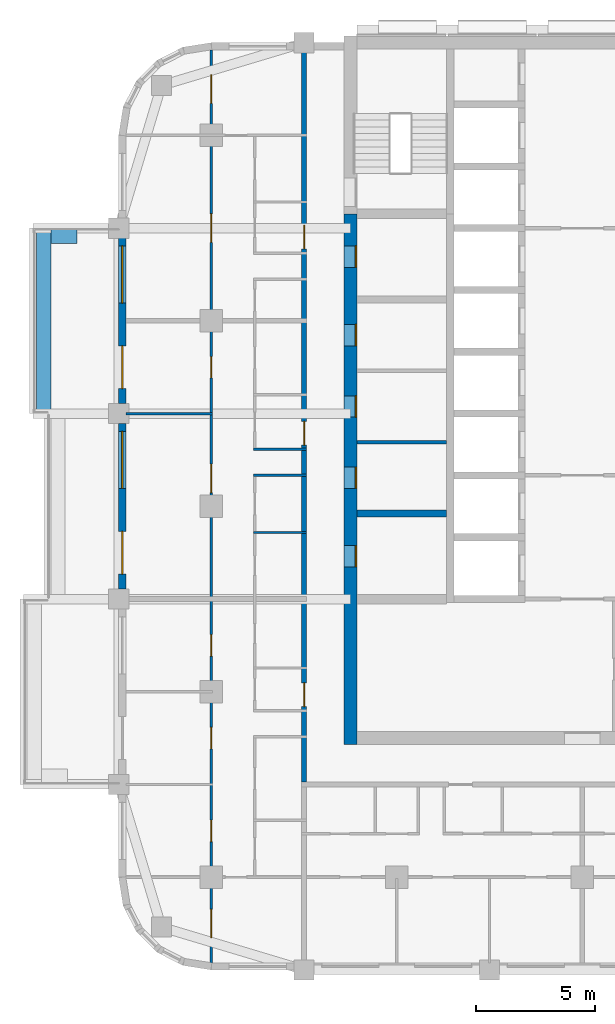
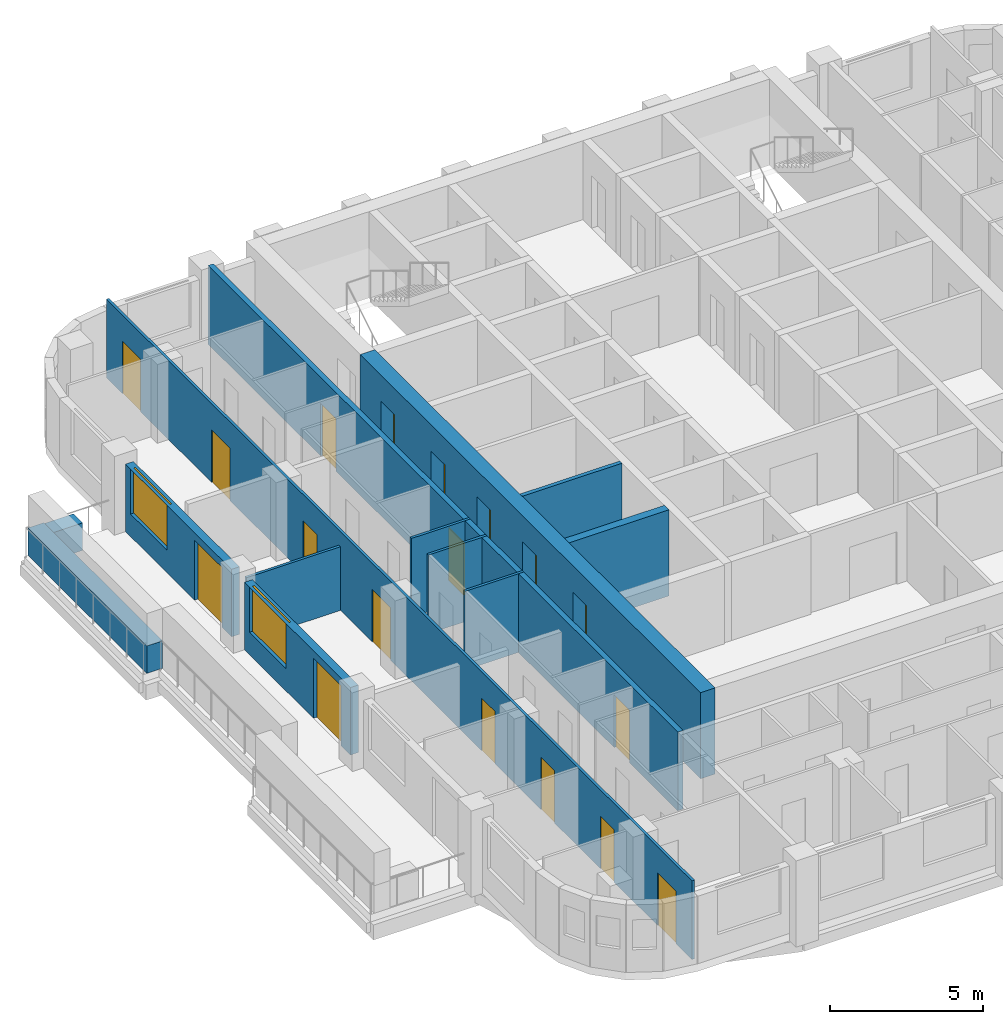
# One storey, part 4 of 13: 18 doors, 13 walls, 2 windows, 20 openings.
"""IFC4 building model written with IfcOpenShell, lengths in metres."""

from ifc_helpers import new_model, si_unit, direction, frame, frame_2d, origin, place, context, subcontext, project, spatial, rectangle, extrude, material, layer, layer_set, type_object, element, fill, save


model = new_model("IFC4")

# Units and contexts
model_context = context("Model", 3, precision=1e-05, world=origin(), true_north=direction((0.0, 1.0)))
body_context = subcontext(model_context, "Body", "Model", "MODEL_VIEW")
ifc_project = project(units=[si_unit("LENGTHUNIT", "METRE"), si_unit("AREAUNIT", "SQUARE_METRE"), si_unit("VOLUMEUNIT", "CUBIC_METRE"), si_unit("PLANEANGLEUNIT", "RADIAN"), si_unit("MASSUNIT", "GRAM", prefix="KILO")], contexts=[model_context])

# Site, building, storey
site_placement = place(None, origin())
site = spatial("IfcSite", under=ifc_project, at=site_placement, CompositionType="ELEMENT")
building_placement = place(site_placement, origin())
building = spatial("IfcBuilding", under=site, at=building_placement, Name="Ludao Terraces", CompositionType="ELEMENT")
storey_placement = place(building_placement, frame((0.0, 0.0, 123.699951171875)))
storey = spatial("IfcBuildingStorey", under=building, at=storey_placement, Name="L33", CompositionType="ELEMENT", Elevation=123.699951171875)

# Wall, openings, doors
ifc_material_1 = material(Name="Concrete C60", Category="concrete")
ifc_layer_1 = layer(ifc_material_1, 0.550048828125)
ifc_layer_set_1 = layer_set([ifc_layer_1], Name="Core wall 550 C60")
wall_type_1 = type_object("IfcWallType", Name="Core wall 550 C60", PredefinedType="SOLIDWALL", material=ifc_layer_set_1)
wall_1_placement = place(storey_placement, frame((75.25, 54.97509765625, -0.300048828125), z_axis=(0.0, 0.0, 1.0), x_axis=(0.0, 1.0, 0.0)))
wall_1 = element("IfcWall", 1, at=wall_1_placement, inside=storey, type_object=wall_type_1, Name="Core wall L33 outer-W", PredefinedType="SOLIDWALL", context=body_context, shape_type="SweptSolid", body=[
    extrude(rectangle(XDim=22.324951171875, YDim=0.550048828125, at=frame_2d((11.16259765625, 0.0))), origin(), (0.0, 0.0, 1.0), 3.4501953125),
])
opening_1_placement = place(wall_1_placement, frame((7.47509765625, 0.0, 0.300048828125)))
opening_1 = element("IfcOpeningElement", 2, at=opening_1_placement, cuts=wall_1, Name="Opening R10-041", PredefinedType="OPENING", context=body_context, shape_type="SweptSolid", body=[
    extrude(rectangle(XDim=0.89990234375, YDim=2.10009765625, at=frame_2d((0.449951171875, 1.050048828125))), frame((0.0, 0.28515625, 0.0), z_axis=(0.0, -1.0, 0.0), x_axis=(1.0, 0.0, 0.0)), (0.0, 0.0, 1.0), 0.570068359375),
])
opening_2_placement = place(wall_1_placement, frame((10.77490234375, 0.0, 0.300048828125)))
opening_2 = element("IfcOpeningElement", 3, at=opening_2_placement, cuts=wall_1, Name="Opening R10-050", PredefinedType="OPENING", context=body_context, shape_type="SweptSolid", body=[
    extrude(rectangle(XDim=0.89990234375, YDim=2.10009765625, at=frame_2d((0.449951171875, 1.050048828125))), frame((0.0, 0.28515625, 0.0), z_axis=(0.0, -1.0, 0.0), x_axis=(1.0, 0.0, 0.0)), (0.0, 0.0, 1.0), 0.570068359375),
])
opening_3_placement = place(wall_1_placement, frame((13.77490234375, 0.0, 0.300048828125)))
opening_3 = element("IfcOpeningElement", 4, at=opening_3_placement, cuts=wall_1, Name="Opening R10-059", PredefinedType="OPENING", context=body_context, shape_type="SweptSolid", body=[
    extrude(rectangle(XDim=0.89990234375, YDim=2.10009765625, at=frame_2d((0.449951171875, 1.050048828125))), frame((0.0, 0.28515625, 0.0), z_axis=(0.0, -1.0, 0.0), x_axis=(1.0, 0.0, 0.0)), (0.0, 0.0, 1.0), 0.570068359375),
])
opening_4_placement = place(wall_1_placement, frame((16.77490234375, 0.0, 0.300048828125)))
opening_4 = element("IfcOpeningElement", 5, at=opening_4_placement, cuts=wall_1, Name="Opening R10-065", PredefinedType="OPENING", context=body_context, shape_type="SweptSolid", body=[
    extrude(rectangle(XDim=0.89990234375, YDim=2.10009765625, at=frame_2d((0.449951171875, 1.050048828125))), frame((0.0, 0.28515625, 0.0), z_axis=(0.0, -1.0, 0.0), x_axis=(1.0, 0.0, 0.0)), (0.0, 0.0, 1.0), 0.570068359375),
])
opening_5_placement = place(wall_1_placement, frame((20.074951171875, 0.0, 0.300048828125)))
opening_5 = element("IfcOpeningElement", 6, at=opening_5_placement, cuts=wall_1, Name="Opening R10-073", PredefinedType="OPENING", context=body_context, shape_type="SweptSolid", body=[
    extrude(rectangle(XDim=0.89990234375, YDim=2.10009765625, at=frame_2d((0.449951171875, 1.050048828125))), frame((0.0, 0.28515625, 0.0), z_axis=(0.0, -1.0, 0.0), x_axis=(1.0, 0.0, 0.0)), (0.0, 0.0, 1.0), 0.570068359375),
])
ifc_material_2 = material(Name="Steel Q235", Category="steel")
door_type_1 = type_object("IfcDoorType", Name="INT Riser door 900", OperationType="SINGLE_SWING_LEFT", PredefinedType="DOOR", material=ifc_material_2)
door_1_placement = place(opening_1_placement, origin())
door_1 = element("IfcDoor", 7, at=door_1_placement, inside=storey, type_object=door_type_1, Name="DOOR 041", OperationType="SINGLE_SWING_RIGHT", OverallHeight=2.10009765625, OverallWidth=0.89990234375, PredefinedType="DOOR", context=body_context, shape_type="SweptSolid", body=[
    extrude(rectangle(XDim=0.89990234375, YDim=2.10009765625, at=frame_2d((0.449951171875, 1.050048828125))), frame((0.0, -0.2099609375, 0.0), z_axis=(0.0, -1.0, 0.0), x_axis=(1.0, 0.0, 0.0)), (0.0, 0.0, 1.0), 0.050048828125),
])
fill(opening_1, door_1)
door_2_placement = place(opening_5_placement, origin())
door_2 = element("IfcDoor", 8, at=door_2_placement, inside=storey, type_object=door_type_1, Name="DOOR 073", OperationType="SINGLE_SWING_LEFT", OverallHeight=2.10009765625, OverallWidth=0.89990234375, PredefinedType="DOOR", context=body_context, shape_type="SweptSolid", body=[
    extrude(rectangle(XDim=0.89990234375, YDim=2.10009765625, at=frame_2d((0.449951171875, 1.050048828125))), frame((0.0, -0.2099609375, 0.0), z_axis=(0.0, -1.0, 0.0), x_axis=(1.0, 0.0, 0.0)), (0.0, 0.0, 1.0), 0.050048828125),
])
fill(opening_5, door_2)
ifc_material_3 = material(Name="Timber door leaf", Category="wood")
door_type_2 = type_object("IfcDoorType", Name="INT Room door 900", OperationType="SINGLE_SWING_LEFT", PredefinedType="DOOR", material=ifc_material_3)
door_3_placement = place(opening_2_placement, origin())
door_3 = element("IfcDoor", 9, at=door_3_placement, inside=storey, type_object=door_type_2, Name="DOOR 050", OperationType="SINGLE_SWING_RIGHT", OverallHeight=2.10009765625, OverallWidth=0.89990234375, PredefinedType="DOOR", context=body_context, shape_type="SweptSolid", body=[
    extrude(rectangle(XDim=0.89990234375, YDim=2.10009765625, at=frame_2d((0.449951171875, 1.050048828125))), frame((0.0, -0.2099609375, 0.0), z_axis=(0.0, -1.0, 0.0), x_axis=(1.0, 0.0, 0.0)), (0.0, 0.0, 1.0), 0.050048828125),
])
fill(opening_2, door_3)
door_4_placement = place(opening_3_placement, origin())
door_4 = element("IfcDoor", 10, at=door_4_placement, inside=storey, type_object=door_type_2, Name="DOOR 059", OperationType="SINGLE_SWING_LEFT", OverallHeight=2.10009765625, OverallWidth=0.89990234375, PredefinedType="DOOR", context=body_context, shape_type="SweptSolid", body=[
    extrude(rectangle(XDim=0.89990234375, YDim=2.10009765625, at=frame_2d((0.449951171875, 1.050048828125))), frame((0.0, -0.2099609375, 0.0), z_axis=(0.0, -1.0, 0.0), x_axis=(1.0, 0.0, 0.0)), (0.0, 0.0, 1.0), 0.050048828125),
])
fill(opening_3, door_4)
door_5_placement = place(opening_4_placement, origin())
door_5 = element("IfcDoor", 11, at=door_5_placement, inside=storey, type_object=door_type_2, Name="DOOR 065", OperationType="SINGLE_SWING_LEFT", OverallHeight=2.10009765625, OverallWidth=0.89990234375, PredefinedType="DOOR", context=body_context, shape_type="SweptSolid", body=[
    extrude(rectangle(XDim=0.89990234375, YDim=2.10009765625, at=frame_2d((0.449951171875, 1.050048828125))), frame((0.0, -0.2099609375, 0.0), z_axis=(0.0, -1.0, 0.0), x_axis=(1.0, 0.0, 0.0)), (0.0, 0.0, 1.0), 0.050048828125),
])
fill(opening_4, door_5)

# Walls
ifc_material_4 = material(Name="Concrete C40", Category="concrete")
ifc_layer_2 = layer(ifc_material_4, 0.60009765625)
ifc_layer_set_2 = layer_set([ifc_layer_2], Name="ENV Planter trough 600")
wall_type_2 = type_object("IfcWallType", Name="ENV Planter trough 600", PredefinedType="USERDEFINED", material=ifc_layer_set_2)
wall_2_placement = place(storey_placement, frame((62.35009765625, 68.89990234375, 0.0), z_axis=(0.0, 0.0, 1.0), x_axis=(0.0, 1.0, 0.0)))
element("IfcWall", 12, at=wall_2_placement, inside=storey, type_object=wall_type_2, Name="PL-L33-W3", ObjectType="PLANTER", PredefinedType="USERDEFINED", context=body_context, shape_type="SweptSolid", body=[
    extrude(rectangle(XDim=7.800048828125, YDim=0.60009765625, at=frame_2d((3.89990234375, 0.0))), origin(), (0.0, 0.0, 1.0), 1.10009765625),
])
wall_3_placement = place(storey_placement, frame((62.64990234375, 76.35009765625, 0.0), z_axis=(0.0, 0.0, 1.0), x_axis=(1.0, 0.0, 0.0)))
element("IfcWall", 13, at=wall_3_placement, inside=storey, type_object=wall_type_2, Name="PL-L33-W3-SB", ObjectType="PLANTER", PredefinedType="USERDEFINED", context=body_context, shape_type="SweptSolid", body=[
    extrude(rectangle(XDim=1.10009765625, YDim=0.60009765625, at=frame_2d((0.550048828125, 0.0))), origin(), (0.0, 0.0, 1.0), 1.10009765625),
])

# Wall, openings, door, window
ifc_material_5 = material(Name="Granite cladding", Category="masonry")
ifc_layer_3 = layer(ifc_material_5, 0.0400390625, Category="stone")
ifc_material_6 = material(Name="Mineral wool")
ifc_layer_4 = layer(ifc_material_6, 0.06005859375)
ifc_layer_5 = layer(ifc_material_4, 0.199951171875, Category="concrete")
ifc_layer_set_3 = layer_set([ifc_layer_3, ifc_layer_4, ifc_layer_5], Name="ENV Stone-clad wall 300")
wall_type_3 = type_object("IfcWallType", Name="ENV Stone-clad wall 300", PredefinedType="SOLIDWALL", material=ifc_layer_set_3)
wall_4_placement = place(storey_placement, frame((65.64990234375, 61.52490234375, 0.0), z_axis=(0.0, 0.0, 1.0), x_axis=(0.0, 1.0, 0.0)))
wall_4 = element("IfcWall", 14, at=wall_4_placement, inside=storey, type_object=wall_type_3, Name="EW-L33-W3", PredefinedType="SOLIDWALL", context=body_context, shape_type="SweptSolid", body=[
    extrude(rectangle(XDim=6.9501953125, YDim=0.300048828125, at=frame_2d((3.47509765625, 0.0))), origin(), (0.0, 0.0, 1.0), 2.699951171875),
])
opening_6_placement = place(wall_4_placement, frame((0.625, 0.0, 0.0)))
opening_6 = element("IfcOpeningElement", 15, at=opening_6_placement, cuts=wall_4, Name="Opening BD", PredefinedType="OPENING", context=body_context, shape_type="SweptSolid", body=[
    extrude(rectangle(XDim=1.800048828125, YDim=2.39990234375, at=frame_2d((0.89990234375, 1.199951171875))), frame((0.0, 0.16015625, 0.0), z_axis=(0.0, -1.0, 0.0), x_axis=(1.0, 0.0, 0.0)), (0.0, 0.0, 1.0), 0.320068359375),
])
opening_7_placement = place(wall_4_placement, frame((4.22509765625, 0.0, 0.89990234375)))
opening_7 = element("IfcOpeningElement", 16, at=opening_7_placement, cuts=wall_4, Name="Opening W1", PredefinedType="OPENING", context=body_context, shape_type="SweptSolid", body=[
    extrude(rectangle(XDim=2.39990234375, YDim=1.800048828125, at=frame_2d((1.199951171875, 0.89990234375))), frame((0.0, 0.16015625, 0.0), z_axis=(0.0, -1.0, 0.0), x_axis=(1.0, 0.0, 0.0)), (0.0, 0.0, 1.0), 0.320068359375),
])
ifc_material_7 = material(Name="Aluminium glazed door", Category="aluminium")
ifc_layer_6 = layer(ifc_material_7, 0.06005859375)
ifc_layer_set_4 = layer_set([ifc_layer_6], Name="ENV Balcony door BD 1800x2400")
door_type_3 = type_object("IfcDoorType", Name="ENV Balcony door BD 1800x2400", OperationType="DOUBLE_DOOR_SINGLE_SWING", PredefinedType="DOOR", material=ifc_layer_set_4)
door_6_placement = place(opening_6_placement, origin())
door_6 = element("IfcDoor", 17, at=door_6_placement, inside=storey, type_object=door_type_3, Name="BD-L33-W3-1", OperationType="DOUBLE_DOOR_SINGLE_SWING", OverallHeight=2.39990234375, OverallWidth=1.800048828125, PredefinedType="DOOR", context=body_context, shape_type="SweptSolid", body=[
    extrude(rectangle(XDim=1.800048828125, YDim=2.39990234375, at=frame_2d((0.89990234375, 1.199951171875))), frame((0.0, 0.02490234375, 0.0), z_axis=(0.0, -1.0, 0.0), x_axis=(1.0, 0.0, 0.0)), (0.0, 0.0, 1.0), 0.050048828125),
])
fill(opening_6, door_6)
ifc_material_8 = material(Name="Clear glass in aluminium frame", Category="aluminium")
ifc_layer_7 = layer(ifc_material_8, 0.06005859375)
ifc_layer_set_5 = layer_set([ifc_layer_7], Name="ENV Window W1 2400x1800")
window_type = type_object("IfcWindowType", Name="ENV Window W1 2400x1800", PartitioningType="DOUBLE_PANEL_VERTICAL", PredefinedType="WINDOW", material=ifc_layer_set_5)
window_1_placement = place(opening_7_placement, origin())
window_1 = element("IfcWindow", 18, at=window_1_placement, inside=storey, type_object=window_type, Name="W-L33-W3-2", OverallHeight=1.800048828125, OverallWidth=2.39990234375, PartitioningType="DOUBLE_PANEL_VERTICAL", PredefinedType="WINDOW", context=body_context, shape_type="SweptSolid", body=[
    extrude(rectangle(XDim=2.39990234375, YDim=1.800048828125, at=frame_2d((1.199951171875, 0.89990234375))), frame((0.0, 0.030029296875, 0.0), z_axis=(0.0, -1.0, 0.0), x_axis=(1.0, 0.0, 0.0)), (0.0, 0.0, 1.0), 0.06005859375),
])
fill(opening_7, window_1)

wall_5_placement = place(storey_placement, frame((65.64990234375, 69.324951171875, 0.0), z_axis=(0.0, 0.0, 1.0), x_axis=(0.0, 1.0, 0.0)))
wall_5 = element("IfcWall", 19, at=wall_5_placement, inside=storey, type_object=wall_type_3, Name="EW-L33-W4", PredefinedType="SOLIDWALL", context=body_context, shape_type="SweptSolid", body=[
    extrude(rectangle(XDim=6.949951171875, YDim=0.300048828125, at=frame_2d((3.47509765625, 0.0))), origin(), (0.0, 0.0, 1.0), 2.699951171875),
])
opening_8_placement = place(wall_5_placement, frame((0.625, 0.0, 0.0)))
opening_8 = element("IfcOpeningElement", 20, at=opening_8_placement, cuts=wall_5, Name="Opening BD", PredefinedType="OPENING", context=body_context, shape_type="SweptSolid", body=[
    extrude(rectangle(XDim=1.800048828125, YDim=2.39990234375, at=frame_2d((0.89990234375, 1.199951171875))), frame((0.0, 0.16015625, 0.0), z_axis=(0.0, -1.0, 0.0), x_axis=(1.0, 0.0, 0.0)), (0.0, 0.0, 1.0), 0.320068359375),
])
opening_9_placement = place(wall_5_placement, frame((4.22509765625, 0.0, 0.89990234375)))
opening_9 = element("IfcOpeningElement", 21, at=opening_9_placement, cuts=wall_5, Name="Opening W1", PredefinedType="OPENING", context=body_context, shape_type="SweptSolid", body=[
    extrude(rectangle(XDim=2.39990234375, YDim=1.800048828125, at=frame_2d((1.199951171875, 0.89990234375))), frame((0.0, 0.16015625, 0.0), z_axis=(0.0, -1.0, 0.0), x_axis=(1.0, 0.0, 0.0)), (0.0, 0.0, 1.0), 0.320068359375),
])
door_7_placement = place(opening_8_placement, origin())
door_7 = element("IfcDoor", 22, at=door_7_placement, inside=storey, type_object=door_type_3, Name="BD-L33-W4-1", OperationType="DOUBLE_DOOR_SINGLE_SWING", OverallHeight=2.39990234375, OverallWidth=1.800048828125, PredefinedType="DOOR", context=body_context, shape_type="SweptSolid", body=[
    extrude(rectangle(XDim=1.800048828125, YDim=2.39990234375, at=frame_2d((0.89990234375, 1.199951171875))), frame((0.0, 0.02490234375, 0.0), z_axis=(0.0, -1.0, 0.0), x_axis=(1.0, 0.0, 0.0)), (0.0, 0.0, 1.0), 0.050048828125),
])
fill(opening_8, door_7)
window_2_placement = place(opening_9_placement, origin())
window_2 = element("IfcWindow", 23, at=window_2_placement, inside=storey, type_object=window_type, Name="W-L33-W4-2", OverallHeight=1.800048828125, OverallWidth=2.39990234375, PartitioningType="DOUBLE_PANEL_VERTICAL", PredefinedType="WINDOW", context=body_context, shape_type="SweptSolid", body=[
    extrude(rectangle(XDim=2.39990234375, YDim=1.800048828125, at=frame_2d((1.199951171875, 0.89990234375))), frame((0.0, 0.030029296875, 0.0), z_axis=(0.0, -1.0, 0.0), x_axis=(1.0, 0.0, 0.0)), (0.0, 0.0, 1.0), 0.06005859375),
])
fill(opening_9, window_2)

# Wall
ifc_material_9 = material(Name="Fire-rated gypsum plasterboard", Category="gypsum")
ifc_layer_8 = layer(ifc_material_9, 0.012451171875, Category="gypsum")
ifc_layer_9 = layer(ifc_material_6, 0.10009765625, Name="insulation")
ifc_layer_10 = layer(ifc_material_2, 0.02490234375, Name="stud")
ifc_layer_11 = layer(ifc_material_9, 0.012451171875, Category="gypsum")
ifc_layer_set_6 = layer_set([ifc_layer_8, ifc_layer_9, ifc_layer_10, ifc_layer_11], Name="INT Core partition 150")
wall_type_4 = type_object("IfcWallType", Name="INT Core partition 150", PredefinedType="PARTITIONING", material=ifc_layer_set_6)
wall_6_placement = place(storey_placement, frame((75.525146484375, 67.699951171875, 0.0), z_axis=(0.0, 0.0, 1.0), x_axis=(1.0, 0.0, 0.0)))
element("IfcWall", 24, at=wall_6_placement, inside=storey, type_object=wall_type_4, Name="PW-L33-PW027", PredefinedType="PARTITIONING", context=body_context, shape_type="SweptSolid", body=[
    extrude(rectangle(XDim=3.77490234375, YDim=0.14990234375, at=frame_2d((1.887451171875, 0.0))), origin(), (0.0, 0.0, 1.0), 3.150146484375),
])

# Wall, openings, doors
ifc_material_10 = material(Name="Autoclaved aerated concrete block B06 A3.5", Category="concrete")
ifc_layer_12 = layer(ifc_material_10, 0.199951171875)
ifc_layer_set_7 = layer_set([ifc_layer_12], Name="INT Entrance wall 200")
wall_type_5 = type_object("IfcWallType", Name="INT Entrance wall 200", PredefinedType="PARTITIONING", material=ifc_layer_set_7)
wall_7_placement = place(storey_placement, frame((73.300048828125, 53.400146484375, 0.0), z_axis=(0.0, 0.0, 1.0), x_axis=(0.0, 1.0, 0.0)))
wall_7 = element("IfcWall", 25, at=wall_7_placement, inside=storey, type_object=wall_type_5, Name="PW-L33-PW052", PredefinedType="PARTITIONING", context=body_context, shape_type="SweptSolid", body=[
    extrude(rectangle(XDim=30.800048828125, YDim=0.199951171875, at=frame_2d((15.39990234375, 0.0))), origin(), (0.0, 0.0, 1.0), 3.150146484375),
])
opening_10_placement = place(wall_7_placement, frame((3.175048828125, 0.0, 0.0)))
opening_10 = element("IfcOpeningElement", 26, at=opening_10_placement, cuts=wall_7, Name="Opening R10-030", PredefinedType="OPENING", context=body_context, shape_type="SweptSolid", body=[
    extrude(rectangle(XDim=1.0, YDim=2.10009765625, at=frame_2d((0.5, 1.050048828125))), frame((0.0, 0.10986328125, 0.0), z_axis=(0.0, -1.0, 0.0), x_axis=(1.0, 0.0, 0.0)), (0.0, 0.0, 1.0), 0.219970703125),
])
opening_11_placement = place(wall_7_placement, frame((14.175048828125, 0.0, 0.0)))
opening_11 = element("IfcOpeningElement", 27, at=opening_11_placement, cuts=wall_7, Name="Opening R10-055", PredefinedType="OPENING", context=body_context, shape_type="SweptSolid", body=[
    extrude(rectangle(XDim=1.0, YDim=2.10009765625, at=frame_2d((0.5, 1.050048828125))), frame((0.0, 0.10986328125, 0.0), z_axis=(0.0, -1.0, 0.0), x_axis=(1.0, 0.0, 0.0)), (0.0, 0.0, 1.0), 0.219970703125),
])
opening_12_placement = place(wall_7_placement, frame((22.425048828125, 0.0, 0.0)))
opening_12 = element("IfcOpeningElement", 28, at=opening_12_placement, cuts=wall_7, Name="Opening R10-075", PredefinedType="OPENING", context=body_context, shape_type="SweptSolid", body=[
    extrude(rectangle(XDim=1.0, YDim=2.10009765625, at=frame_2d((0.5, 1.050048828125))), frame((0.0, 0.10986328125, 0.0), z_axis=(0.0, -1.0, 0.0), x_axis=(1.0, 0.0, 0.0)), (0.0, 0.0, 1.0), 0.219970703125),
])
door_type_4 = type_object("IfcDoorType", Name="INT Flat entrance door 1000", OperationType="SINGLE_SWING_LEFT", PredefinedType="DOOR", material=ifc_material_2)
door_8_placement = place(opening_10_placement, origin())
door_8 = element("IfcDoor", 29, at=door_8_placement, inside=storey, type_object=door_type_4, Name="DOOR 030", OperationType="SINGLE_SWING_RIGHT", OverallHeight=2.10009765625, OverallWidth=1.0, PredefinedType="DOOR", context=body_context, shape_type="SweptSolid", body=[
    extrude(rectangle(XDim=1.0, YDim=2.10009765625, at=frame_2d((0.5, 1.050048828125))), frame((0.0, 0.02490234375, 0.0), z_axis=(0.0, -1.0, 0.0), x_axis=(1.0, 0.0, 0.0)), (0.0, 0.0, 1.0), 0.050048828125),
])
fill(opening_10, door_8)
door_9_placement = place(opening_11_placement, origin())
door_9 = element("IfcDoor", 30, at=door_9_placement, inside=storey, type_object=door_type_4, Name="DOOR 055", OperationType="SINGLE_SWING_RIGHT", OverallHeight=2.10009765625, OverallWidth=1.0, PredefinedType="DOOR", context=body_context, shape_type="SweptSolid", body=[
    extrude(rectangle(XDim=1.0, YDim=2.10009765625, at=frame_2d((0.5, 1.050048828125))), frame((0.0, 0.02490234375, 0.0), z_axis=(0.0, -1.0, 0.0), x_axis=(1.0, 0.0, 0.0)), (0.0, 0.0, 1.0), 0.050048828125),
])
fill(opening_11, door_9)
door_10_placement = place(opening_12_placement, origin())
door_10 = element("IfcDoor", 31, at=door_10_placement, inside=storey, type_object=door_type_4, Name="DOOR 075", OperationType="SINGLE_SWING_RIGHT", OverallHeight=2.10009765625, OverallWidth=1.0, PredefinedType="DOOR", context=body_context, shape_type="SweptSolid", body=[
    extrude(rectangle(XDim=1.0, YDim=2.10009765625, at=frame_2d((0.5, 1.050048828125))), frame((0.0, 0.02490234375, 0.0), z_axis=(0.0, -1.0, 0.0), x_axis=(1.0, 0.0, 0.0)), (0.0, 0.0, 1.0), 0.050048828125),
])
fill(opening_12, door_10)

# Walls
ifc_material_11 = material(Name="Gypsum plasterboard", Category="gypsum")
ifc_layer_13 = layer(ifc_material_11, 0.012451171875, Category="gypsum")
ifc_layer_14 = layer(ifc_material_6, 0.06005859375, Name="insulation")
ifc_layer_15 = layer(ifc_material_2, 0.014892578125, Name="stud")
ifc_layer_16 = layer(ifc_material_11, 0.012451171875, Category="gypsum")
ifc_layer_set_8 = layer_set([ifc_layer_13, ifc_layer_14, ifc_layer_15, ifc_layer_16], Name="INT Partition 100")
wall_type_6 = type_object("IfcWallType", Name="INT Partition 100", PredefinedType="PARTITIONING", material=ifc_layer_set_8)
for number, where, z_axis, x_axis, name in (
    (32, (71.18017578125, 63.89990234375, 0.0), (0.0, 0.0, 1.0), (1.0, 0.0, 0.0), "PW-L33-PW021"),
    (33, (71.18017578125, 66.300048828125, 0.0), (0.0, 0.0, 1.0), (1.0, 0.0, 0.0), "PW-L33-PW023"),
    (34, (71.18017578125, 67.39990234375, 0.0), (0.0, 0.0, 1.0), (1.0, 0.0, 0.0), "PW-L33-PW026"),
):
    element("IfcWall", number, at=place(storey_placement, frame(where, z_axis=z_axis, x_axis=x_axis)), inside=storey, type_object=wall_type_6, Name=name, PredefinedType="PARTITIONING", context=body_context, shape_type="SweptSolid", body=[
        extrude(rectangle(XDim=2.219970703125, YDim=0.10009765625, at=frame_2d((1.10986328125, 0.0))), origin(), (0.0, 0.0, 1.0), 3.150146484375),
    ])
wall_8_placement = place(storey_placement, frame((65.800048828125, 68.89990234375, 0.0), z_axis=(0.0, 0.0, 1.0), x_axis=(1.0, 0.0, 0.0)))
element("IfcWall", 35, at=wall_8_placement, inside=storey, type_object=wall_type_6, Name="PW-L33-PW029", PredefinedType="PARTITIONING", context=body_context, shape_type="SweptSolid", body=[
    extrude(rectangle(XDim=3.650146484375, YDim=0.10009765625, at=frame_2d((1.8251953125, 0.0))), origin(), (0.0, 0.0, 1.0), 2.550048828125),
])

# Wall, openings, doors
wall_9_placement = place(storey_placement, frame((69.39990234375, 45.800048828125, 0.0), z_axis=(0.0, 0.0, 1.0), x_axis=(0.0, 1.0, 0.0)))
wall_9 = element("IfcWall", 36, at=wall_9_placement, inside=storey, type_object=wall_type_6, Name="PW-L33-PW046", PredefinedType="PARTITIONING", context=body_context, shape_type="SweptSolid", body=[
    extrude(rectangle(XDim=38.400146484375, YDim=0.10009765625, at=frame_2d((19.2001953125, 0.0))), origin(), (0.0, 0.0, 1.0), 3.150146484375),
])
opening_13_placement = place(wall_9_placement, frame((1.050048828125, 0.0, 0.0)))
opening_13 = element("IfcOpeningElement", 37, at=opening_13_placement, cuts=wall_9, Name="Opening R10-001", PredefinedType="OPENING", context=body_context, shape_type="SweptSolid", body=[
    extrude(rectangle(XDim=1.199951171875, YDim=2.10009765625, at=frame_2d((0.60009765625, 1.050048828125))), frame((0.0, 0.06005859375, 0.0), z_axis=(0.0, -1.0, 0.0), x_axis=(1.0, 0.0, 0.0)), (0.0, 0.0, 1.0), 0.1201171875),
])
opening_14_placement = place(wall_9_placement, frame((5.10009765625, 0.0, 0.0)))
opening_14 = element("IfcOpeningElement", 38, at=opening_14_placement, cuts=wall_9, Name="Opening R10-020", PredefinedType="OPENING", context=body_context, shape_type="SweptSolid", body=[
    extrude(rectangle(XDim=0.89990234375, YDim=2.10009765625, at=frame_2d((0.449951171875, 1.050048828125))), frame((0.0, 0.06005859375, 0.0), z_axis=(0.0, -1.0, 0.0), x_axis=(1.0, 0.0, 0.0)), (0.0, 0.0, 1.0), 0.1201171875),
])
opening_15_placement = place(wall_9_placement, frame((9.0, 0.0, 0.0)))
opening_15 = element("IfcOpeningElement", 39, at=opening_15_placement, cuts=wall_9, Name="Opening R10-027", PredefinedType="OPENING", context=body_context, shape_type="SweptSolid", body=[
    extrude(rectangle(XDim=0.89990234375, YDim=2.10009765625, at=frame_2d((0.449951171875, 1.050048828125))), frame((0.0, 0.06005859375, 0.0), z_axis=(0.0, -1.0, 0.0), x_axis=(1.0, 0.0, 0.0)), (0.0, 0.0, 1.0), 0.1201171875),
])
opening_16_placement = place(wall_9_placement, frame((12.89990234375, 0.0, 0.0)))
opening_16 = element("IfcOpeningElement", 40, at=opening_16_placement, cuts=wall_9, Name="Opening R10-034", PredefinedType="OPENING", context=body_context, shape_type="SweptSolid", body=[
    extrude(rectangle(XDim=0.89990234375, YDim=2.10009765625, at=frame_2d((0.449951171875, 1.050048828125))), frame((0.0, 0.06005859375, 0.0), z_axis=(0.0, -1.0, 0.0), x_axis=(1.0, 0.0, 0.0)), (0.0, 0.0, 1.0), 0.1201171875),
])
opening_17_placement = place(wall_9_placement, frame((19.77490234375, 0.0, 0.0)))
opening_17 = element("IfcOpeningElement", 41, at=opening_17_placement, cuts=wall_9, Name="Opening R10-049", PredefinedType="OPENING", context=body_context, shape_type="SweptSolid", body=[
    extrude(rectangle(XDim=1.199951171875, YDim=2.10009765625, at=frame_2d((0.60009765625, 1.050048828125))), frame((0.0, 0.06005859375, 0.0), z_axis=(0.0, -1.0, 0.0), x_axis=(1.0, 0.0, 0.0)), (0.0, 0.0, 1.0), 0.1201171875),
])
opening_18_placement = place(wall_9_placement, frame((24.60009765625, 0.0, 0.0)))
opening_18 = element("IfcOpeningElement", 42, at=opening_18_placement, cuts=wall_9, Name="Opening R10-061", PredefinedType="OPENING", context=body_context, shape_type="SweptSolid", body=[
    extrude(rectangle(XDim=0.89990234375, YDim=2.10009765625, at=frame_2d((0.449951171875, 1.050048828125))), frame((0.0, 0.06005859375, 0.0), z_axis=(0.0, -1.0, 0.0), x_axis=(1.0, 0.0, 0.0)), (0.0, 0.0, 1.0), 0.1201171875),
])
opening_19_placement = place(wall_9_placement, frame((30.300048828125, 0.0, 0.0)))
opening_19 = element("IfcOpeningElement", 43, at=opening_19_placement, cuts=wall_9, Name="Opening R10-077", PredefinedType="OPENING", context=body_context, shape_type="SweptSolid", body=[
    extrude(rectangle(XDim=1.199951171875, YDim=2.10009765625, at=frame_2d((0.60009765625, 1.050048828125))), frame((0.0, 0.06005859375, 0.0), z_axis=(0.0, -1.0, 0.0), x_axis=(1.0, 0.0, 0.0)), (0.0, 0.0, 1.0), 0.1201171875),
])
opening_20_placement = place(wall_9_placement, frame((36.14990234375, 0.0, 0.0)))
opening_20 = element("IfcOpeningElement", 44, at=opening_20_placement, cuts=wall_9, Name="Opening R10-091", PredefinedType="OPENING", context=body_context, shape_type="SweptSolid", body=[
    extrude(rectangle(XDim=1.199951171875, YDim=2.10009765625, at=frame_2d((0.60009765625, 1.050048828125))), frame((0.0, 0.06005859375, 0.0), z_axis=(0.0, -1.0, 0.0), x_axis=(1.0, 0.0, 0.0)), (0.0, 0.0, 1.0), 0.1201171875),
])
door_type_5 = type_object("IfcDoorType", Name="INT Double door 1200", OperationType="DOUBLE_DOOR_SINGLE_SWING", PredefinedType="DOOR", material=ifc_material_3)
door_11_placement = place(opening_13_placement, origin())
door_11 = element("IfcDoor", 45, at=door_11_placement, inside=storey, type_object=door_type_5, Name="DOOR 001", OperationType="DOUBLE_DOOR_SINGLE_SWING", OverallHeight=2.10009765625, OverallWidth=1.199951171875, PredefinedType="DOOR", context=body_context, shape_type="SweptSolid", body=[
    extrude(rectangle(XDim=1.199951171875, YDim=2.10009765625, at=frame_2d((0.60009765625, 1.050048828125))), frame((0.0, 0.02490234375, 0.0), z_axis=(0.0, -1.0, 0.0), x_axis=(1.0, 0.0, 0.0)), (0.0, 0.0, 1.0), 0.050048828125),
])
fill(opening_13, door_11)
door_12_placement = place(opening_17_placement, origin())
door_12 = element("IfcDoor", 46, at=door_12_placement, inside=storey, type_object=door_type_5, Name="DOOR 049", OperationType="DOUBLE_DOOR_SINGLE_SWING", OverallHeight=2.10009765625, OverallWidth=1.199951171875, PredefinedType="DOOR", context=body_context, shape_type="SweptSolid", body=[
    extrude(rectangle(XDim=1.199951171875, YDim=2.10009765625, at=frame_2d((0.60009765625, 1.050048828125))), frame((0.0, 0.02490234375, 0.0), z_axis=(0.0, -1.0, 0.0), x_axis=(1.0, 0.0, 0.0)), (0.0, 0.0, 1.0), 0.050048828125),
])
fill(opening_17, door_12)
door_13_placement = place(opening_19_placement, origin())
door_13 = element("IfcDoor", 47, at=door_13_placement, inside=storey, type_object=door_type_5, Name="DOOR 077", OperationType="DOUBLE_DOOR_SINGLE_SWING", OverallHeight=2.10009765625, OverallWidth=1.199951171875, PredefinedType="DOOR", context=body_context, shape_type="SweptSolid", body=[
    extrude(rectangle(XDim=1.199951171875, YDim=2.10009765625, at=frame_2d((0.60009765625, 1.050048828125))), frame((0.0, 0.02490234375, 0.0), z_axis=(0.0, -1.0, 0.0), x_axis=(1.0, 0.0, 0.0)), (0.0, 0.0, 1.0), 0.050048828125),
])
fill(opening_19, door_13)
door_14_placement = place(opening_20_placement, origin())
door_14 = element("IfcDoor", 48, at=door_14_placement, inside=storey, type_object=door_type_5, Name="DOOR 091", OperationType="DOUBLE_DOOR_SINGLE_SWING", OverallHeight=2.10009765625, OverallWidth=1.199951171875, PredefinedType="DOOR", context=body_context, shape_type="SweptSolid", body=[
    extrude(rectangle(XDim=1.199951171875, YDim=2.10009765625, at=frame_2d((0.60009765625, 1.050048828125))), frame((0.0, 0.02490234375, 0.0), z_axis=(0.0, -1.0, 0.0), x_axis=(1.0, 0.0, 0.0)), (0.0, 0.0, 1.0), 0.050048828125),
])
fill(opening_20, door_14)
door_15_placement = place(opening_14_placement, origin())
door_15 = element("IfcDoor", 49, at=door_15_placement, inside=storey, type_object=door_type_2, Name="DOOR 020", OperationType="SINGLE_SWING_RIGHT", OverallHeight=2.10009765625, OverallWidth=0.89990234375, PredefinedType="DOOR", context=body_context, shape_type="SweptSolid", body=[
    extrude(rectangle(XDim=0.89990234375, YDim=2.10009765625, at=frame_2d((0.449951171875, 1.050048828125))), frame((0.0, 0.02490234375, 0.0), z_axis=(0.0, -1.0, 0.0), x_axis=(1.0, 0.0, 0.0)), (0.0, 0.0, 1.0), 0.050048828125),
])
fill(opening_14, door_15)
door_16_placement = place(opening_15_placement, origin())
door_16 = element("IfcDoor", 50, at=door_16_placement, inside=storey, type_object=door_type_2, Name="DOOR 027", OperationType="SINGLE_SWING_RIGHT", OverallHeight=2.10009765625, OverallWidth=0.89990234375, PredefinedType="DOOR", context=body_context, shape_type="SweptSolid", body=[
    extrude(rectangle(XDim=0.89990234375, YDim=2.10009765625, at=frame_2d((0.449951171875, 1.050048828125))), frame((0.0, 0.02490234375, 0.0), z_axis=(0.0, -1.0, 0.0), x_axis=(1.0, 0.0, 0.0)), (0.0, 0.0, 1.0), 0.050048828125),
])
fill(opening_15, door_16)
door_17_placement = place(opening_16_placement, origin())
door_17 = element("IfcDoor", 51, at=door_17_placement, inside=storey, type_object=door_type_2, Name="DOOR 034", OperationType="SINGLE_SWING_RIGHT", OverallHeight=2.10009765625, OverallWidth=0.89990234375, PredefinedType="DOOR", context=body_context, shape_type="SweptSolid", body=[
    extrude(rectangle(XDim=0.89990234375, YDim=2.10009765625, at=frame_2d((0.449951171875, 1.050048828125))), frame((0.0, 0.02490234375, 0.0), z_axis=(0.0, -1.0, 0.0), x_axis=(1.0, 0.0, 0.0)), (0.0, 0.0, 1.0), 0.050048828125),
])
fill(opening_16, door_17)
door_18_placement = place(opening_18_placement, origin())
door_18 = element("IfcDoor", 52, at=door_18_placement, inside=storey, type_object=door_type_2, Name="DOOR 061", OperationType="SINGLE_SWING_LEFT", OverallHeight=2.10009765625, OverallWidth=0.89990234375, PredefinedType="DOOR", context=body_context, shape_type="SweptSolid", body=[
    extrude(rectangle(XDim=0.89990234375, YDim=2.10009765625, at=frame_2d((0.449951171875, 1.050048828125))), frame((0.0, 0.02490234375, 0.0), z_axis=(0.0, -1.0, 0.0), x_axis=(1.0, 0.0, 0.0)), (0.0, 0.0, 1.0), 0.050048828125),
])
fill(opening_18, door_18)

# Wall
ifc_material_12 = material(Name="Concrete C55", Category="concrete")
ifc_layer_17 = layer(ifc_material_12, 0.300048828125)
ifc_layer_set_9 = layer_set([ifc_layer_17], Name="Shaft wall 300 C55")
wall_type_7 = type_object("IfcWallType", Name="Shaft wall 300 C55", PredefinedType="SOLIDWALL", material=ifc_layer_set_9)
wall_10_placement = place(storey_placement, frame((75.52490234375, 64.699951171875, -0.300048828125), z_axis=(0.0, 0.0, 1.0), x_axis=(1.0, 0.0, 0.0)))
element("IfcWall", 53, at=wall_10_placement, inside=storey, type_object=wall_type_7, Name="Core wall L33 riser-a-W", PredefinedType="SOLIDWALL", context=body_context, shape_type="SweptSolid", body=[
    extrude(rectangle(XDim=3.775146484375, YDim=0.300048828125, at=frame_2d((1.8876953125, 0.0))), origin(), (0.0, 0.0, 1.0), 3.4501953125),
])

save(model, "model.ifc")
